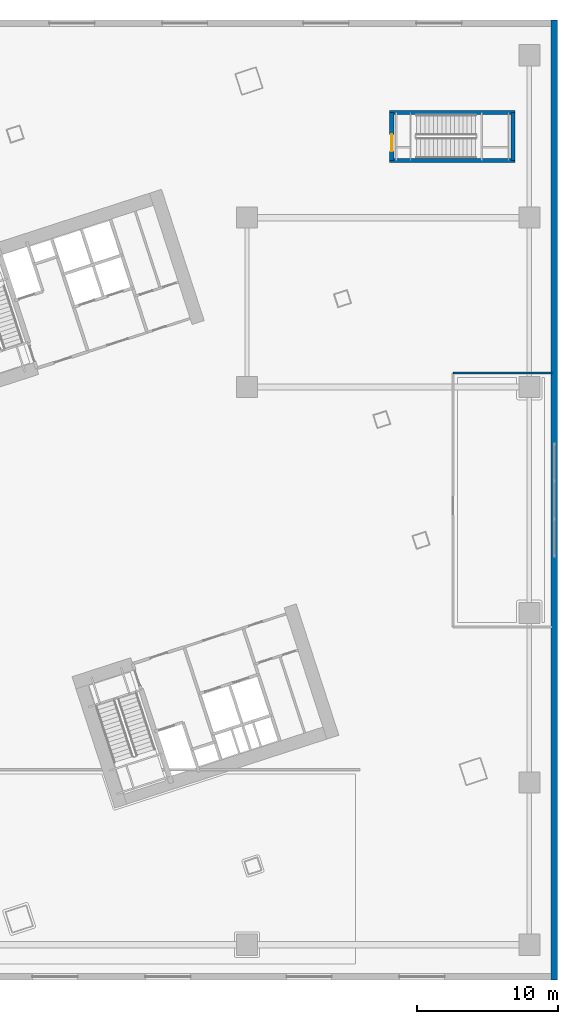
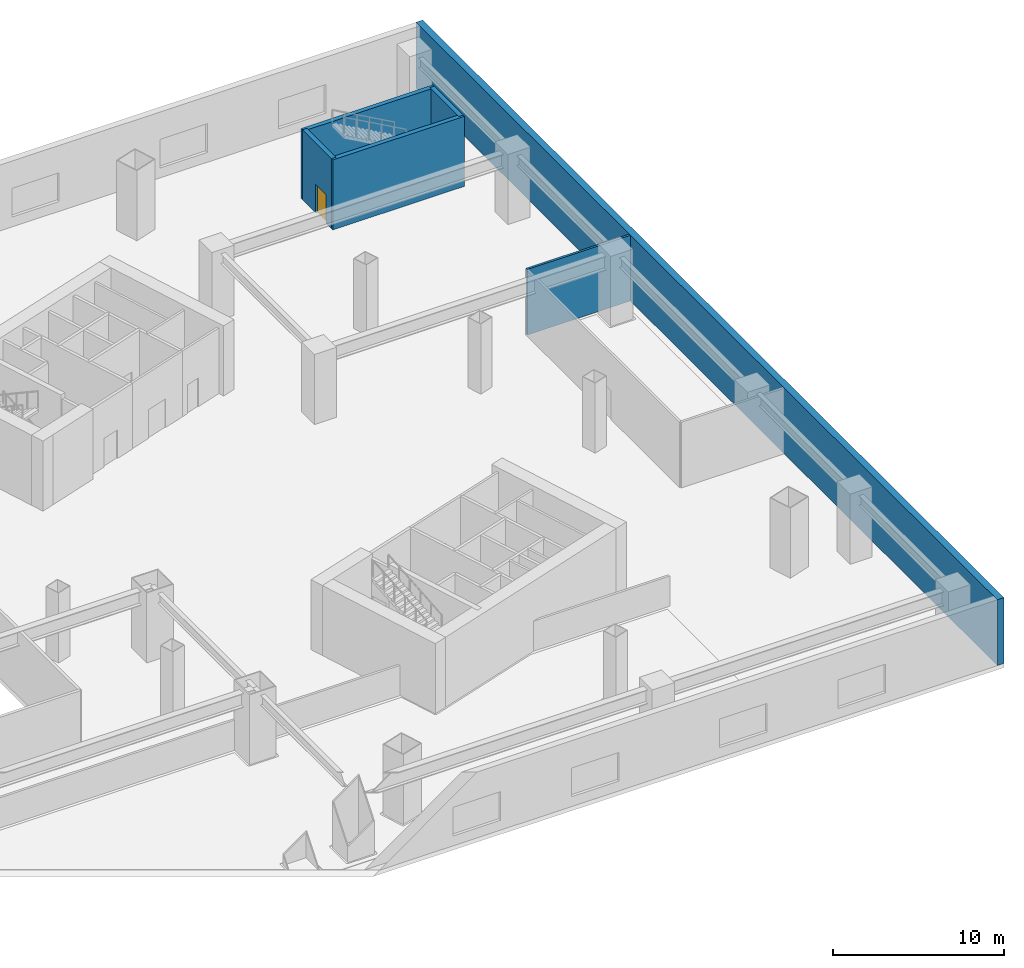
# One storey, part 28 of 35: 6 walls, 1 door, 1 opening.
"""IFC4 building model written with IfcOpenShell, lengths in metres."""

from ifc_helpers import new_model, si_unit, direction, frame, frame_2d, origin, place, context, subcontext, project, spatial, rectangle, extrude, material, layer, layer_set, type_object, element, fill, save


model = new_model("IFC4")

# Units and contexts
model_context = context("Model", 3, precision=1e-05, world=origin(), true_north=direction((0.0, 1.0)))
body_context = subcontext(model_context, "Body", "Model", "MODEL_VIEW")
ifc_project = project(units=[si_unit("LENGTHUNIT", "METRE"), si_unit("AREAUNIT", "SQUARE_METRE"), si_unit("VOLUMEUNIT", "CUBIC_METRE"), si_unit("PLANEANGLEUNIT", "RADIAN"), si_unit("MASSUNIT", "GRAM", prefix="KILO")], contexts=[model_context])

# Site, building, storey
site_placement = place(None, origin())
site = spatial("IfcSite", under=ifc_project, at=site_placement, CompositionType="ELEMENT")
building_placement = place(site_placement, origin())
building = spatial("IfcBuilding", under=site, at=building_placement, Name="Qiaolan Cultural Towers", CompositionType="ELEMENT")
storey_placement = place(building_placement, frame((0.0, 0.0, 11.5)))
storey = spatial("IfcBuildingStorey", under=building, at=storey_placement, Name="L02", CompositionType="ELEMENT", Elevation=11.5)

# Walls
ifc_material_1 = material(Name="Concrete C50", Category="concrete")
ifc_layer_1 = layer(ifc_material_1, 0.35009765625)
ifc_layer_set_1 = layer_set([ifc_layer_1], Name="Concrete C50")
wall_type_1 = type_object("IfcWallType", Name="WL-CORE-350", PredefinedType="SHEAR", material=ifc_layer_set_1)
for number, where, z_axis, x_axis, name in (
    (1, (108.10009765625, 58.050048828125, 0.0), (0.0, 0.0, 1.0), (1.0, 0.0, 0.0), "L02 STP2 Stair Shaft Wall S"),
    (2, (108.10009765625, 61.449951171875, 0.0), (0.0, 0.0, 1.0), (1.0, 0.0, 0.0), "L02 STP2 Stair Shaft Wall N"),
):
    element("IfcWall", number, at=place(storey_placement, frame(where, z_axis=z_axis, x_axis=x_axis)), inside=storey, type_object=wall_type_1, Name=name, PredefinedType="SHEAR", context=body_context, shape_type="SweptSolid", body=[
        extrude(rectangle(XDim=8.89990234375, YDim=0.300048828125, at=frame_2d((4.449951171875, 0.0))), origin(), (0.0, 0.0, 1.0), 5.0),
    ])
wall_1_placement = place(storey_placement, frame((116.85009765625, 58.050048828125, 0.0), z_axis=(0.0, 0.0, 1.0), x_axis=(0.0, 1.0, 0.0)))
element("IfcWall", 3, at=wall_1_placement, inside=storey, type_object=wall_type_1, Name="L02 STP2 Stair Shaft Wall E", PredefinedType="SHEAR", context=body_context, shape_type="SweptSolid", body=[
    extrude(rectangle(XDim=3.39990234375, YDim=0.300048828125, at=frame_2d((1.699951171875, 0.0))), origin(), (0.0, 0.0, 1.0), 5.0),
])

# Wall, opening, door
wall_2_placement = place(storey_placement, frame((108.25, 58.050048828125, 0.0), z_axis=(0.0, 0.0, 1.0), x_axis=(0.0, 1.0, 0.0)))
wall_2 = element("IfcWall", 4, at=wall_2_placement, inside=storey, type_object=wall_type_1, Name="L02 STP2 Stair Shaft Wall W", PredefinedType="SHEAR", context=body_context, shape_type="SweptSolid", body=[
    extrude(rectangle(XDim=3.39990234375, YDim=0.300048828125, at=frame_2d((1.699951171875, 0.0))), origin(), (0.0, 0.0, 1.0), 5.0),
])
opening_placement = place(wall_2_placement, frame((0.64990234375, 0.0, 0.0)))
opening = element("IfcOpeningElement", 5, at=opening_placement, cuts=wall_2, Name="Opening FD-03", PredefinedType="OPENING", context=body_context, shape_type="SweptSolid", body=[
    extrude(rectangle(XDim=1.199951171875, YDim=2.050048828125, at=frame_2d((0.60009765625, 1.02490234375))), frame((0.0, 0.159912109375, 0.0), z_axis=(0.0, -1.0, 0.0), x_axis=(1.0, 0.0, 0.0)), (0.0, 0.0, 1.0), 0.320068359375),
])
ifc_material_2 = material(Name="Galvanized Steel Smokeproof Lobby Fire Door", Category="steel")
door_type = type_object("IfcDoorType", Name="DR-FD90-1200", OperationType="NOTDEFINED", PredefinedType="DOOR", material=ifc_material_2)
door_placement = place(opening_placement, origin())
door = element("IfcDoor", 6, at=door_placement, inside=storey, type_object=door_type, Name="L02 Exit Stair ST-P2 Fire Door", OperationType="SINGLE_SWING_LEFT", OverallHeight=2.050048828125, OverallWidth=1.199951171875, PredefinedType="DOOR", context=body_context, shape_type="SweptSolid", body=[
    extrude(rectangle(XDim=1.199951171875, YDim=2.050048828125, at=frame_2d((0.60009765625, 1.02490234375))), frame((0.0, 0.02490234375, 0.0), z_axis=(0.0, -1.0, 0.0), x_axis=(1.0, 0.0, 0.0)), (0.0, 0.0, 1.0), 0.050048828125),
])
fill(opening, door)

# Walls
ifc_material_3 = material(Name="Precast Concrete C50 Bush-Hammered Granite Pier", Category="masonry")
ifc_layer_2 = layer(ifc_material_3, 0.449951171875)
ifc_layer_set_2 = layer_set([ifc_layer_2], Name="Precast Concrete C50 Bush-Hammered Granite Pier")
wall_type_2 = type_object("IfcWallType", Name="WL-EXT-POD-450", PredefinedType="SOLIDWALL", material=ifc_layer_set_2)
wall_3_placement = place(storey_placement, frame((119.77490234375, 68.0, 0.0), z_axis=(0.0, 0.0, 1.0), x_axis=(0.0, -1.0, 0.0)))
element("IfcWall", 7, at=wall_3_placement, inside=storey, type_object=wall_type_2, Name="L02 Podium Precast Facade Wall EAST", PredefinedType="SOLIDWALL", context=body_context, shape_type="SweptSolid", body=[
    extrude(rectangle(XDim=68.0, YDim=0.449951171875, at=frame_2d((34.0, 0.0))), origin(), (0.0, 0.0, 1.0), 4.699951171875),
])
ifc_material_4 = material(Name="Autoclaved Aerated Concrete Block B06", Category="concrete")
ifc_layer_3 = layer(ifc_material_4, 0.14990234375)
ifc_layer_set_3 = layer_set([ifc_layer_3], Name="Autoclaved Aerated Concrete Block B06")
wall_type_3 = type_object("IfcWallType", Name="WL-PART-150", PredefinedType="PARTITIONING", material=ifc_layer_set_3)
wall_4_placement = place(storey_placement, frame((112.60009765625, 43.0, 0.0), z_axis=(0.0, 0.0, 1.0), x_axis=(1.0, 0.0, 0.0)))
element("IfcWall", 8, at=wall_4_placement, inside=storey, type_object=wall_type_3, Name="L02 Podium Partition L02-EN", PredefinedType="PARTITIONING", context=body_context, shape_type="SweptSolid", body=[
    extrude(rectangle(XDim=7.0, YDim=0.14990234375, at=frame_2d((3.5, 0.0))), origin(), (0.0, 0.0, 1.0), 4.68505859375),
])

save(model, "model.ifc")
